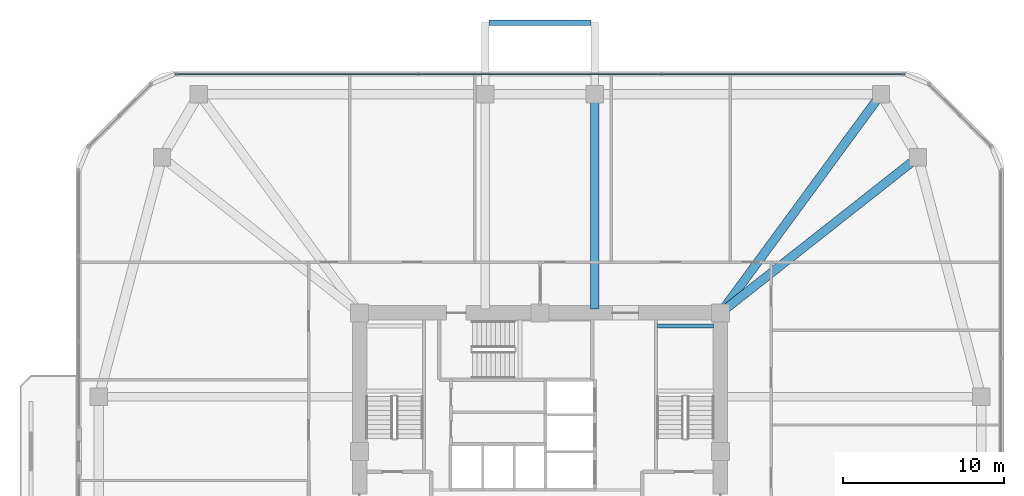
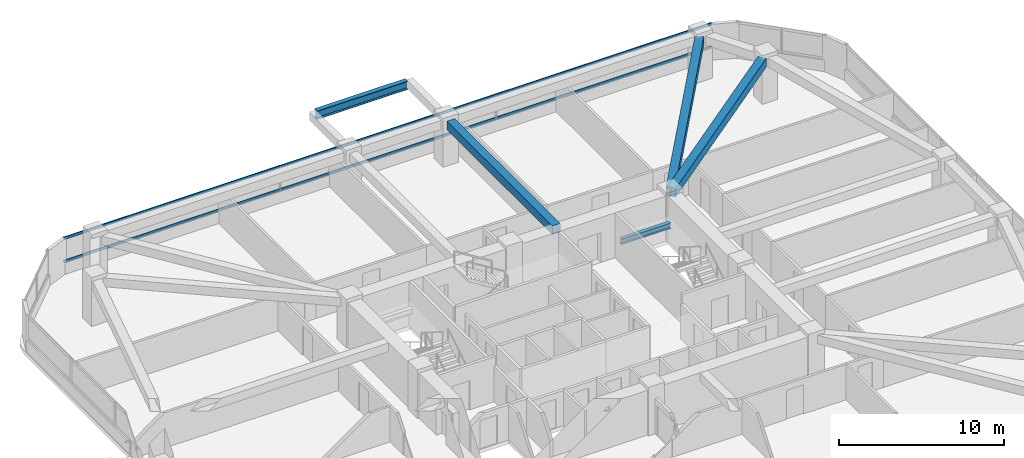
# One storey, part 6 of 13: 5 beams, 2 members, 1 element without a shape of its own.
"""IFC4 building model written with IfcOpenShell, lengths in metres."""

from ifc_helpers import new_model, si_unit, derived_unit, direction, frame, origin, origin_2d, place, context, subcontext, project, spatial, rectangle, i_section, extrude, material, material_profile, profile_set, type_object, element, aggregate, save


model = new_model("IFC4")

# Units and contexts
model_context = context("Model", 3, precision=1e-05, world=origin(), true_north=direction((0.0, 1.0)))
body_context = subcontext(model_context, "Body", "Model", "MODEL_VIEW")
ifc_project = project(units=[si_unit("LENGTHUNIT", "METRE"), si_unit("AREAUNIT", "SQUARE_METRE"), si_unit("VOLUMEUNIT", "CUBIC_METRE"), si_unit("PLANEANGLEUNIT", "RADIAN"), si_unit("MASSUNIT", "GRAM", prefix="KILO"), derived_unit("THERMALTRANSMITTANCEUNIT", [(si_unit("POWERUNIT", "WATT"), 1), (si_unit("LENGTHUNIT", "METRE"), -2), (si_unit("THERMODYNAMICTEMPERATUREUNIT", "KELVIN"), -1)])], contexts=[model_context])

# Site, building, storey
site_placement = place(None, origin())
site = spatial("IfcSite", under=ifc_project, at=site_placement, CompositionType="ELEMENT")
building_placement = place(site_placement, origin())
building = spatial("IfcBuilding", under=site, at=building_placement, Name="Koralith Skygarden Medical Center", CompositionType="ELEMENT")
storey_placement = place(building_placement, frame((0.0, 0.0, 63.5400390625)))
storey = spatial("IfcBuildingStorey", under=building, at=storey_placement, Name="L16", CompositionType="ELEMENT", Elevation=63.5400390625)

# Curtain wall, members
ifc_material_1 = material(Name="Clear Laminated Glass", Category="glass")
curtain_wall_type = type_object("IfcCurtainWallType", Name="CW-2 Zone 1 Hurricane Unitised Curtain Wall", PredefinedType="NOTDEFINED", material=ifc_material_1)
curtain_wall_placement = place(storey_placement, origin())
curtain_wall = element("IfcCurtainWall", 1, at=curtain_wall_placement, inside=storey, type_object=curtain_wall_type, Name="Curtain Wall CW-L16-N", PredefinedType="NOTDEFINED")
ifc_material_2 = material(Name="Aluminium 6063-T6", Category="aluminium")
ifc_material_profile_1 = material_profile(ifc_material_2, rectangle(XDim=0.06591796875, YDim=0.197998046875, at=origin_2d()), Name="TRN66X198")
ifc_profile_set_1 = profile_set([ifc_material_profile_1], Name="Aluminium 6063-T6")
member_type = type_object("IfcMemberType", Name="CW-2 Thermal Transom 66x198", PredefinedType="USERDEFINED", material=ifc_profile_set_1)
member_1_placement = place(storey_placement, frame((59.64501953125, 49.320068359375, 0.89990234375), z_axis=(-1.0, 0.0, 0.0), x_axis=(0.0, -1.0, 0.0)))
member_1 = element("IfcMember", 2, at=member_1_placement, type_object=member_type, Name="CW-L16-N Transom 1", ObjectType="TRANSOM", PredefinedType="USERDEFINED", context=body_context, shape_type="SweptSolid", body=[
    extrude(rectangle(XDim=0.06591796875, YDim=0.197998046875, at=origin_2d()), origin(), (0.0, 0.0, 1.0), 45.2900390625),
])
member_2_placement = place(storey_placement, frame((59.64501953125, 49.320068359375, 2.599853515625), z_axis=(-1.0, 0.0, 0.0), x_axis=(0.0, -1.0, 0.0)))
member_2 = element("IfcMember", 3, at=member_2_placement, type_object=member_type, Name="CW-L16-N Transom 2", ObjectType="TRANSOM", PredefinedType="USERDEFINED", context=body_context, shape_type="SweptSolid", body=[
    extrude(rectangle(XDim=0.06591796875, YDim=0.197998046875, at=origin_2d()), origin(), (0.0, 0.0, 1.0), 45.2900390625),
])
aggregate(curtain_wall, [member_1, member_2])

# Beams
ifc_material_3 = material(Name="Steel ASTM A992 Grade 50", Category="steel")
ifc_material_profile_2 = material_profile(ifc_material_3, i_section(OverallWidth=0.326904296875, OverallDepth=0.6220703125, WebThickness=0.015380859375, FlangeThickness=0.0244140625, at=origin_2d()), Name="W24X131")
ifc_profile_set_2 = profile_set([ifc_material_profile_2], Name="Steel ASTM A992 Grade 50")
beam_type_1 = type_object("IfcBeamType", Name="Cantilever Tie Beam W24X131", PredefinedType="BEAM", material=ifc_profile_set_2)
beam_1_placement = place(storey_placement, frame((33.820068359375, 52.52001953125, 3.029052734375), z_axis=(1.0, 0.0, 0.0), x_axis=(0.0, 1.0, 0.0)))
element("IfcBeam", 4, at=beam_1_placement, inside=storey, type_object=beam_type_1, Name="L17 N Balcony Tip Tie Beam", PredefinedType="BEAM", context=body_context, shape_type="SweptSolid", body=[
    extrude(i_section(OverallWidth=0.326904296875, OverallDepth=0.6220703125, WebThickness=0.015380859375, FlangeThickness=0.0244140625, at=origin_2d()), origin(), (0.0, 0.0, 1.0), 6.35986328125),
])
ifc_material_profile_3 = material_profile(ifc_material_3, i_section(OverallWidth=0.260009765625, OverallDepth=0.4150390625, WebThickness=0.010009765625, FlangeThickness=0.016845703125, at=origin_2d()), Name="W16X67")
ifc_profile_set_3 = profile_set([ifc_material_profile_3], Name="Steel ASTM A992 Grade 50")
beam_type_2 = type_object("IfcBeamType", Name="Clinical Floor Joist W16X67", PredefinedType="JOIST", material=ifc_profile_set_3)
beam_2_placement = place(storey_placement, frame((44.280029296875, 33.699951171875, 1.39306640625), z_axis=(1.0, 0.0, 0.0), x_axis=(0.0, 1.0, 0.0)))
element("IfcBeam", 5, at=beam_2_placement, inside=storey, type_object=beam_type_2, Name="L16 Stair ST2 Half-Landing Support Beam 1B", PredefinedType="JOIST", context=body_context, shape_type="SweptSolid", body=[
    extrude(i_section(OverallWidth=0.260009765625, OverallDepth=0.4150390625, WebThickness=0.010009765625, FlangeThickness=0.016845703125, at=origin_2d()), origin(), (0.0, 0.0, 1.0), 3.489990234375),
])
ifc_material_4 = material(Name="Concrete C45/55", Category="concrete")
ifc_material_profile_4 = material_profile(ifc_material_4, rectangle(XDim=0.550048828125, YDim=0.639892578125, at=origin_2d()), Name="RCB550X640")
ifc_profile_set_4 = profile_set([ifc_material_profile_4], Name="Concrete C45/55")
beam_type_3 = type_object("IfcBeamType", Name="Radial Collector Beam RCB550X640", PredefinedType="BEAM", material=ifc_profile_set_4)
beam_3_placement = place(storey_placement, frame((48.39599609375, 34.655029296875, 3.0), z_axis=(0.785497250365, 0.618865146594, 0.0), x_axis=(-0.618865146594, 0.785497250365, 0.0)))
element("IfcBeam", 6, at=beam_3_placement, inside=storey, type_object=beam_type_3, Name="L16 Radial Collector Beam RB-10", PredefinedType="BEAM", context=body_context, shape_type="SweptSolid", body=[
    extrude(rectangle(XDim=0.550048828125, YDim=0.639892578125, at=origin_2d()), origin(), (0.0, 0.0, 1.0), 14.828857421875),
])
beam_4_placement = place(storey_placement, frame((48.347900390625, 34.701904296875, 3.0), z_axis=(0.591710803277, 0.806150311843, 0.0), x_axis=(-0.806150311843, 0.591710803277, 0.0)))
element("IfcBeam", 7, at=beam_4_placement, inside=storey, type_object=beam_type_3, Name="L16 Radial Collector Beam RB-11", PredefinedType="BEAM", context=body_context, shape_type="SweptSolid", body=[
    extrude(rectangle(XDim=0.550048828125, YDim=0.639892578125, at=origin_2d()), origin(), (0.0, 0.0, 1.0), 16.0654296875),
])
beam_5_placement = place(storey_placement, frame((40.39990234375, 34.75, 3.0), z_axis=(0.0, 1.0, 0.0), x_axis=(-1.0, 0.0, 0.0)))
element("IfcBeam", 8, at=beam_5_placement, inside=storey, type_object=beam_type_3, Name="L16 Radial Collector Beam RB-12", PredefinedType="BEAM", context=body_context, shape_type="SweptSolid", body=[
    extrude(rectangle(XDim=0.550048828125, YDim=0.639892578125, at=origin_2d()), origin(), (0.0, 0.0, 1.0), 12.800048828125),
])

save(model, "model.ifc")
